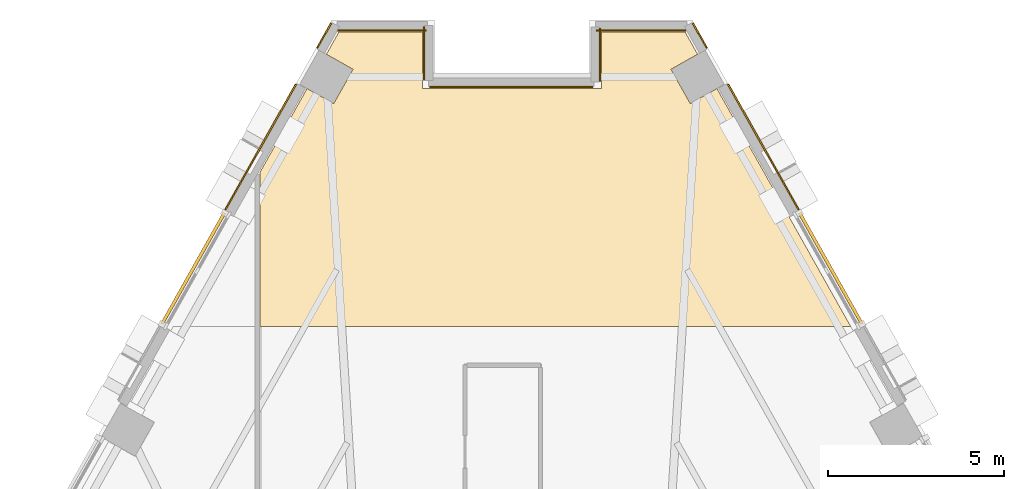
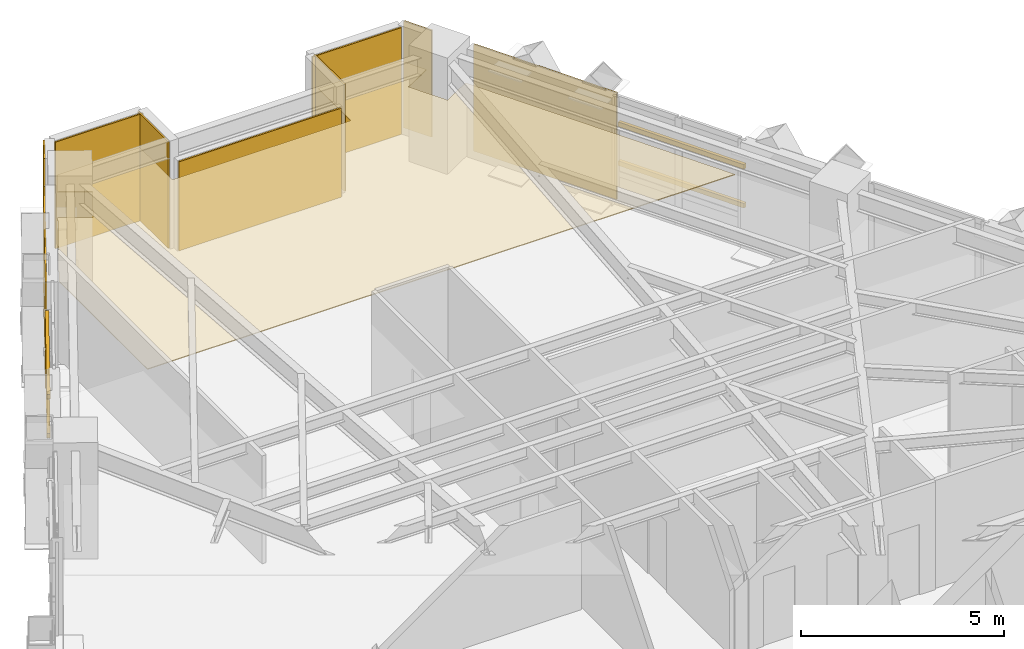
# One storey, part 14 of 14: 10 coverings, 4 shading devices.
"""IFC4 building model written with IfcOpenShell, lengths in metres."""

from ifc_helpers import new_model, si_unit, direction, frame, origin, origin_2d, place, context, subcontext, project, spatial, polyline, rectangle, outline, extrude, material, layer, layer_set, material_profile, profile_set, type_object, element, save


model = new_model("IFC4")

# Units and contexts
model_context = context("Model", 3, precision=1e-05, world=origin(), true_north=direction((0.0, 1.0)))
body_context = subcontext(model_context, "Body", "Model", "MODEL_VIEW")
ifc_project = project(units=[si_unit("LENGTHUNIT", "METRE"), si_unit("AREAUNIT", "SQUARE_METRE"), si_unit("VOLUMEUNIT", "CUBIC_METRE"), si_unit("PLANEANGLEUNIT", "RADIAN"), si_unit("MASSUNIT", "GRAM", prefix="KILO")], contexts=[model_context])

# Site, building, storey
site_placement = place(None, origin())
site = spatial("IfcSite", under=ifc_project, at=site_placement, CompositionType="ELEMENT")
building_placement = place(site_placement, origin())
building = spatial("IfcBuilding", under=site, at=building_placement, Name="Quenlor Broadcast Tower", CompositionType="ELEMENT")
storey_placement = place(building_placement, frame((0.0, 0.0, 102.0)))
storey = spatial("IfcBuildingStorey", under=building, at=storey_placement, Name="L27", CompositionType="ELEMENT", Elevation=102.0)

# Covering
ifc_material_1 = material(Name="Acoustic Mineral Fibre Board", Category="other")
ifc_layer_1 = layer(ifc_material_1, 0.02490234375)
ifc_layer_set_1 = layer_set([ifc_layer_1], Name="Acoustic Perforated Mineral Tile Ceiling 25")
covering_type_1 = type_object("IfcCoveringType", Name="Acoustic Perforated Mineral Tile Ceiling 25", PredefinedType="CEILING", material=ifc_layer_set_1)
covering_1_placement = place(storey_placement, frame((0.0, 0.0, 2.22509765625)))
element("IfcCovering", 1, at=covering_1_placement, inside=storey, type_object=covering_type_1, Name="L27 Acoustic Ceiling L27-28-2", PredefinedType="CEILING", context=body_context, shape_type="SweptSolid", body=[
    extrude(outline(polyline([(-7.139892578125, 17.01318359375), (-5.805908203125, 19.384765625), (-5.049560546875, 18.959228515625), (-4.50244140625, 19.931884765625), (-5.2587890625, 20.357421875), (-4.904296875, 20.988037109375), (-2.5400390625, 20.988037109375), (-2.5400390625, 19.387939453125), (2.5400390625, 19.387939453125), (2.5400390625, 20.988037109375), (2.909912109375, 20.988037109375), (4.904296875, 20.988037109375), (5.2587890625, 20.357421875), (4.50244140625, 19.931884765625), (5.049560546875, 18.959228515625), (5.805908203125, 19.384765625), (7.78662109375, 15.86376953125), (9.59423828125, 12.64990234375), (-7.139892578125, 12.64990234375), (-7.139892578125, 17.01318359375)])), origin(), (0.0, 0.0, 1.0), 0.02490234375),
])

# Shading devices
ifc_material_2 = material(Name="Architectural Terracotta Ceramic", Category="masonry")
ifc_material_profile = material_profile(ifc_material_2, rectangle(XDim=0.090087890625, YDim=0.139892578125, at=origin_2d()))
ifc_profile_set = profile_set([ifc_material_profile], Name="Architectural Terracotta Ceramic BAG90x140")
shading_device_type = type_object("IfcShadingDeviceType", Name="Copper Terracotta Baguette Solar Screen 140", PredefinedType="USERDEFINED", material=ifc_profile_set)
for number, where, z_axis, x_axis, name in (
    (2, (8.14697265625, 15.861572265625, 1.169921875), (0.490235552811, -0.871589985464, 0.0), (0.871589985464, 0.490235552811, 0.0), "L27 Terracotta Baguette Screen 1"),
    (3, (8.14697265625, 15.861572265625, 2.340087890625), (0.490235552811, -0.871589985464, 0.0), (0.871589985464, 0.490235552811, 0.0), "L27 Terracotta Baguette Screen 2"),
    (4, (-9.916748046875, 12.715087890625, 1.169921875), (0.490235552811, 0.871589985464, 0.0), (-0.871589985464, 0.490235552811, 0.0), "L27 Terracotta Baguette Screen 1"),
    (5, (-9.916748046875, 12.715087890625, 2.340087890625), (0.490235552811, 0.871589985464, 0.0), (-0.871589985464, 0.490235552811, 0.0), "L27 Terracotta Baguette Screen 2"),
):
    element("IfcShadingDevice", number, at=place(storey_placement, frame(where, z_axis=z_axis, x_axis=x_axis)), inside=storey, type_object=shading_device_type, Name=name, ObjectType="BAGUETTE", PredefinedType="USERDEFINED", context=body_context, shape_type="SweptSolid", body=[
        extrude(rectangle(XDim=0.090087890625, YDim=0.139892578125, at=origin_2d()), origin(), (0.0, 0.0, 1.0), 3.610107421875),
    ])

# Coverings
ifc_material_3 = material(Name="Architectural Terracotta Ceramic", Category="masonry")
ifc_layer_2 = layer(ifc_material_3, 0.044921875)
ifc_layer_set_2 = layer_set([ifc_layer_2], Name="Fluted Terracotta Rainscreen Cladding Panel")
covering_type_2 = type_object("IfcCoveringType", Name="Fluted Terracotta Rainscreen Cladding Panel", PredefinedType="CLADDING", material=ifc_layer_set_2)
covering_2_placement = place(storey_placement, frame((0.0, 0.0, 0.02001953125)))
element("IfcCovering", 6, at=covering_2_placement, inside=storey, type_object=covering_type_2, Name="L27 Terracotta Rainscreen Cladding L27-SHD-NES0", PredefinedType="CLADDING", context=body_context, shape_type="SweptSolid", body=[
    extrude(outline(polyline([(5.105224609375, 21.22607421875), (5.5, 20.524169921875), (5.539306640625, 20.546142578125), (5.144287109375, 21.248046875), (5.105224609375, 21.22607421875)])), origin(), (0.0, 0.0, 1.0), 3.2099609375),
])
covering_3_placement = place(storey_placement, frame((0.0, 0.0, 0.02001953125)))
element("IfcCovering", 7, at=covering_3_placement, inside=storey, type_object=covering_type_2, Name="L27 Terracotta Rainscreen Cladding L27-NEA-SP1", PredefinedType="CLADDING", context=body_context, shape_type="SweptSolid", body=[
    extrude(outline(polyline([(6.10107421875, 19.496826171875), (8.11279296875, 15.919921875), (8.152099609375, 15.94189453125), (6.14013671875, 19.518798828125), (6.10107421875, 19.496826171875)])), origin(), (0.0, 0.0, 1.0), 3.2099609375),
])
covering_4_placement = place(storey_placement, frame((0.0, 0.0, 0.02001953125)))
element("IfcCovering", 8, at=covering_4_placement, inside=storey, type_object=covering_type_2, Name="L27 Terracotta Rainscreen Cladding L27-SHD-NWS1", PredefinedType="CLADDING", context=body_context, shape_type="SweptSolid", body=[
    extrude(outline(polyline([(-5.5, 20.524169921875), (-5.105224609375, 21.22607421875), (-5.144287109375, 21.248046875), (-5.539306640625, 20.546142578125), (-5.5, 20.524169921875)])), origin(), (0.0, 0.0, 1.0), 3.2099609375),
])
covering_5_placement = place(storey_placement, frame((0.0, 0.0, 0.02001953125)))
element("IfcCovering", 9, at=covering_5_placement, inside=storey, type_object=covering_type_2, Name="L27 Terracotta Rainscreen Cladding L27-NWC-SP2", PredefinedType="CLADDING", context=body_context, shape_type="SweptSolid", body=[
    extrude(outline(polyline([(-8.11279296875, 15.919921875), (-6.10107421875, 19.496826171875), (-6.14013671875, 19.518798828125), (-8.152099609375, 15.94189453125), (-8.11279296875, 15.919921875)])), origin(), (0.0, 0.0, 1.0), 3.2099609375),
])
covering_6_placement = place(storey_placement, frame((0.0, 0.0, 0.02001953125)))
element("IfcCovering", 10, at=covering_6_placement, inside=storey, type_object=covering_type_2, Name="L27 Terracotta Rainscreen Cladding L27-CNR-06", PredefinedType="CLADDING", context=body_context, shape_type="SweptSolid", body=[
    extrude(outline(polyline([(4.929443359375, 21.055908203125), (2.389892578125, 21.055908203125), (2.389892578125, 21.010986328125), (4.929443359375, 21.010986328125), (4.929443359375, 21.055908203125)])), origin(), (0.0, 0.0, 1.0), 3.2099609375),
])
covering_7_placement = place(storey_placement, frame((0.0, 0.0, 0.02001953125)))
element("IfcCovering", 11, at=covering_7_placement, inside=storey, type_object=covering_type_2, Name="L27 Terracotta Rainscreen Cladding L27-CNR-07", PredefinedType="CLADDING", context=body_context, shape_type="SweptSolid", body=[
    extrude(outline(polyline([(2.471923828125, 21.097900390625), (2.471923828125, 19.597900390625), (2.51708984375, 19.597900390625), (2.51708984375, 21.097900390625), (2.471923828125, 21.097900390625)])), origin(), (0.0, 0.0, 1.0), 3.2099609375),
])
covering_8_placement = place(storey_placement, frame((0.0, 0.0, 0.02001953125)))
element("IfcCovering", 12, at=covering_8_placement, inside=storey, type_object=covering_type_2, Name="L27 Terracotta Rainscreen Cladding L27-CNR-08", PredefinedType="CLADDING", context=body_context, shape_type="SweptSolid", body=[
    extrude(outline(polyline([(2.2900390625, 19.4560546875), (-2.330078125, 19.4560546875), (-2.330078125, 19.410888671875), (2.2900390625, 19.410888671875), (2.2900390625, 19.4560546875)])), origin(), (0.0, 0.0, 1.0), 2.681884765625),
])
covering_9_placement = place(storey_placement, frame((0.0, 0.0, 0.02001953125)))
element("IfcCovering", 13, at=covering_9_placement, inside=storey, type_object=covering_type_2, Name="L27 Terracotta Rainscreen Cladding L27-CNR-09", PredefinedType="CLADDING", context=body_context, shape_type="SweptSolid", body=[
    extrude(outline(polyline([(-2.471923828125, 19.637939453125), (-2.471923828125, 21.137939453125), (-2.51708984375, 21.137939453125), (-2.51708984375, 19.637939453125), (-2.471923828125, 19.637939453125)])), origin(), (0.0, 0.0, 1.0), 3.2099609375),
])
covering_10_placement = place(storey_placement, frame((0.0, 0.0, 0.02001953125)))
element("IfcCovering", 14, at=covering_10_placement, inside=storey, type_object=covering_type_2, Name="L27 Terracotta Rainscreen Cladding L27-CNR-10", PredefinedType="CLADDING", context=body_context, shape_type="SweptSolid", body=[
    extrude(outline(polyline([(-2.429931640625, 21.055908203125), (-4.929443359375, 21.055908203125), (-4.929443359375, 21.010986328125), (-2.429931640625, 21.010986328125), (-2.429931640625, 21.055908203125)])), origin(), (0.0, 0.0, 1.0), 3.2099609375),
])

save(model, "model.ifc")
